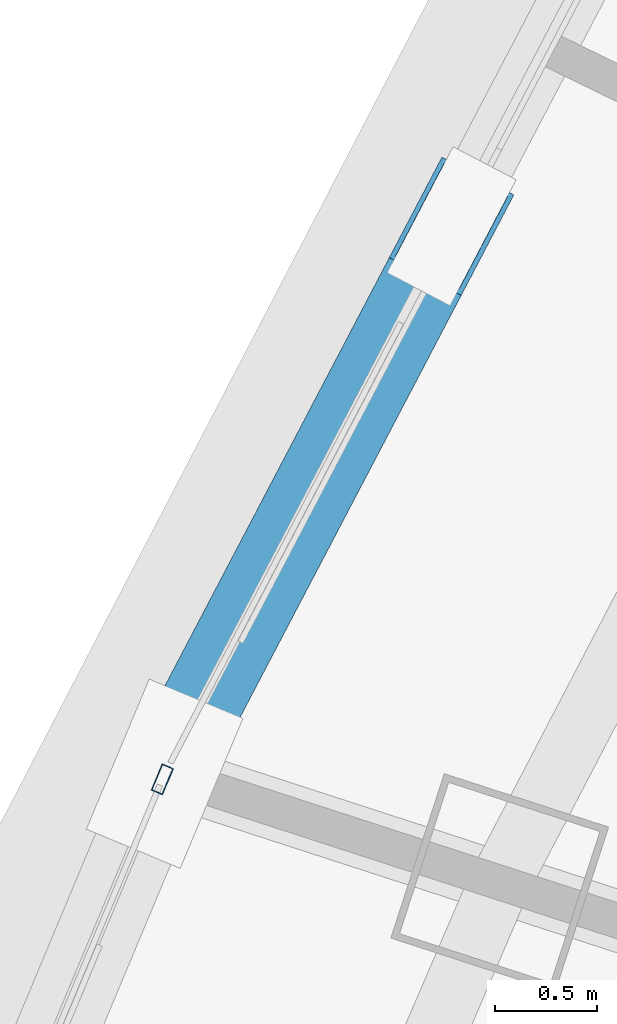
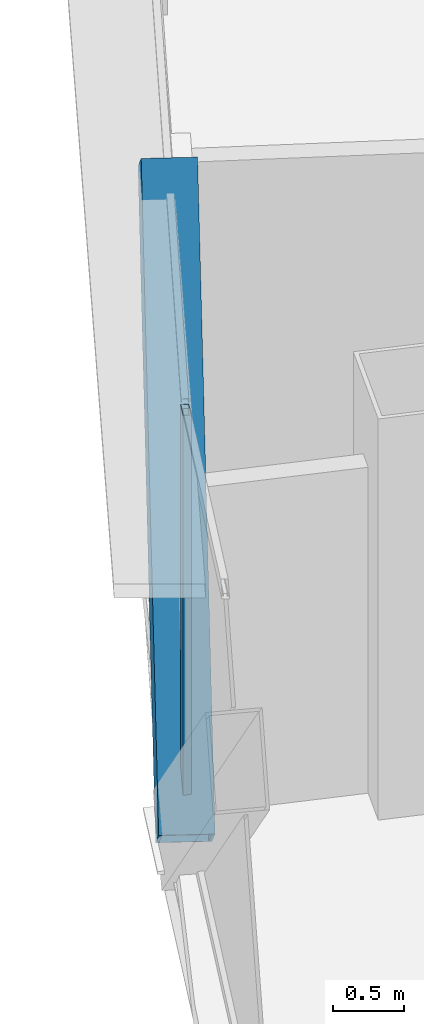
# One storey, part 8 of 37: 2 members, 1 element without a shape of its own.
"""IFC4 building model written with IfcOpenShell, lengths in metres."""

import ifcopenshell
import ifcopenshell.guid

model = None  # the IFC model being written
_history = None  # IfcOwnerHistory: only IFC2X3 demands one
_inside = {}  # id of a spatial element -> (the spatial element, [elements in it])
_under = {}  # id of a project, library or spatial element -> (it, [spatial elements below it])
_declared = {}  # id of a project -> (the project, [libraries it declares])
_typed = {}  # id of a type object -> (the type object, [elements of that type])
_made_of = {}  # id of a material, layer set ... -> (it, [elements and type objects made of it])


def new_model(schema):
    """Start an empty IFC model of exactly this schema.

    Asked for "IFC4X3", IfcOpenShell would pick the latest addendum, in which some entities
    have other attributes; the version numbers below select the first issue.
    IFC2X3 requires an IfcOwnerHistory on every rooted entity: one is made here for all.
    """
    global model, _history
    if schema == "IFC4X3":
        model = ifcopenshell.file(schema_version=(4, 3, 0, 0))
    else:
        model = ifcopenshell.file(schema=schema)
    _inside.clear()
    _under.clear()
    _declared.clear()
    _typed.clear()
    _made_of.clear()
    _history = None
    if model.schema == "IFC2X3":
        org = make("IfcOrganization", Name="unknown")
        user = make(
            "IfcPersonAndOrganization",
            ThePerson=make("IfcPerson", FamilyName="unknown"),
            TheOrganization=org,
        )
        app = make(
            "IfcApplication",
            ApplicationDeveloper=org,
            Version="unknown",
            ApplicationFullName="unknown",
            ApplicationIdentifier="unknown",
        )
        _history = make(
            "IfcOwnerHistory",
            OwningUser=user,
            OwningApplication=app,
            ChangeAction="ADDED",
            CreationDate=0,
        )
    return model


def make(cls, **values):
    """One entity of the class cls with the attributes given. An attribute that is None is left unset."""
    return model.create_entity(
        cls, **{name: value for name, value in values.items() if value is not None}
    )


def rooted(cls, **values):
    """An entity with a GlobalId (a new one), such as an element, a storey or a relation."""
    return make(cls, GlobalId=ifcopenshell.guid.new(), OwnerHistory=_history, **values)


def si_unit(unit_type, name, prefix=None):
    """IfcSIUnit, for example si_unit("LENGTHUNIT", "METRE", prefix="MILLI")."""
    return make("IfcSIUnit", UnitType=unit_type, Prefix=prefix, Name=name)


def assignment(units):
    """IfcUnitAssignment: the units of a project."""
    return None if units is None else make("IfcUnitAssignment", Units=units)


def point(xyz):
    """IfcCartesianPoint."""
    return None if xyz is None else make("IfcCartesianPoint", Coordinates=xyz)


def direction(xyz):
    """IfcDirection."""
    return None if xyz is None else make("IfcDirection", DirectionRatios=xyz)


def frame(location, z_axis=None, x_axis=None):
    """IfcAxis2Placement3D, a coordinate frame: its origin and axes. An axis left out is left unset."""
    return make(
        "IfcAxis2Placement3D",
        Location=point(location),
        Axis=direction(z_axis),
        RefDirection=direction(x_axis),
    )


def frame_2d(location, x_axis=None):
    """IfcAxis2Placement2D, a coordinate frame in the plane: its origin and x axis."""
    return make(
        "IfcAxis2Placement2D", Location=point(location), RefDirection=direction(x_axis)
    )


def origin():
    """The frame at (0, 0, 0) with its axes left unset."""
    return frame((0.0, 0.0, 0.0))


def origin_2d():
    """The frame at (0, 0) in the plane with its x axis left unset."""
    return frame_2d((0.0, 0.0))


def place(relative_to, where):
    """IfcLocalPlacement: puts the frame where relative to a parent placement (None: the world)."""
    return make(
        "IfcLocalPlacement", PlacementRelTo=relative_to, RelativePlacement=where
    )


def context(
    kind, dimensions, precision=None, world=None, true_north=None, identifier=None
):
    """IfcGeometricRepresentationContext, for example the 3D "Model" context."""
    return make(
        "IfcGeometricRepresentationContext",
        ContextIdentifier=identifier,
        ContextType=kind,
        CoordinateSpaceDimension=dimensions,
        Precision=precision,
        WorldCoordinateSystem=world,
        TrueNorth=true_north,
    )


def subcontext(parent, identifier, kind, view, scale=None):
    """IfcGeometricRepresentationSubContext, for example "Body" below "Model"."""
    return make(
        "IfcGeometricRepresentationSubContext",
        ContextIdentifier=identifier,
        ContextType=kind,
        ParentContext=parent,
        TargetScale=scale,
        TargetView=view,
    )


def project(units=None, contexts=None):
    """IfcProject with its units and contexts."""
    return rooted(
        "IfcProject",
        Name="project",
        RepresentationContexts=contexts,
        UnitsInContext=assignment(units),
    )


def spatial(cls, under=None, at=None, **own):
    """A site, building, storey or space (cls), placed at a placement, below another one or the project."""
    s = rooted(cls, ObjectPlacement=at, **own)
    if under is not None:
        _under.setdefault(under.id(), (under, []))[1].append(s)
    return s


def profile(cls, at=None, kind="AREA", **sizes):
    """A parametric profile (cls). Its sizes go by their IFC names, for example OverallWidth=200.0."""
    return make(cls, ProfileType=kind, Position=at, **sizes)


def hollow_rectangle(**sizes):
    """IfcRectangleHollowProfileDef."""
    return profile("IfcRectangleHollowProfileDef", **sizes)


def extrude(swept, where, along, depth):
    """IfcExtrudedAreaSolid: the profile swept, set in the frame where, extruded along a direction by depth."""
    return make(
        "IfcExtrudedAreaSolid",
        SweptArea=swept,
        Position=where,
        ExtrudedDirection=direction(along),
        Depth=depth,
    )


def shape(context_of_items, identifier, shape_type, items):
    """IfcShapeRepresentation: the items that make up one representation, for example the "Body"."""
    return make(
        "IfcShapeRepresentation",
        ContextOfItems=context_of_items,
        RepresentationIdentifier=identifier,
        RepresentationType=shape_type,
        Items=items,
    )


def source(mapping_origin, context_of_items, identifier, shape_type, items):
    """IfcRepresentationMap: a shape defined once, which mapped items show again and again."""
    return make(
        "IfcRepresentationMap",
        MappingOrigin=mapping_origin,
        MappedRepresentation=shape(context_of_items, identifier, shape_type, items),
    )


def transform(
    local_origin,
    x_axis=None,
    y_axis=None,
    z_axis=None,
    scale=None,
    scale2=None,
    scale3=None,
    uniform=True,
):
    """IfcCartesianTransformationOperator3D, or its non-uniform kind. x_axis, y_axis, z_axis: its Axis1, 2, 3."""
    if uniform:
        return make(
            "IfcCartesianTransformationOperator3D",
            Axis1=direction(x_axis),
            Axis2=direction(y_axis),
            LocalOrigin=point(local_origin),
            Scale=scale,
            Axis3=direction(z_axis),
        )
    return make(
        "IfcCartesianTransformationOperator3DnonUniform",
        Axis1=direction(x_axis),
        Axis2=direction(y_axis),
        LocalOrigin=point(local_origin),
        Scale=scale,
        Axis3=direction(z_axis),
        Scale2=scale2,
        Scale3=scale3,
    )


def mapped(mapping_source, mapping_target):
    """IfcMappedItem: shows the shape of a source again, moved by a transform."""
    return make(
        "IfcMappedItem", MappingSource=mapping_source, MappingTarget=mapping_target
    )


def material(Name=None, Category=None):
    """IfcMaterial."""
    return make("IfcMaterial", Name=Name, Category=Category)


def layer(
    of_material, thickness, ventilated=None, Name=None, Category=None, Priority=None
):
    """IfcMaterialLayer: one layer of a wall or slab, of a material (None: an air gap)."""
    return make(
        "IfcMaterialLayer",
        Material=of_material,
        LayerThickness=thickness,
        IsVentilated=ventilated,
        Name=Name,
        Category=Category,
        Priority=Priority,
    )


def layer_set(layers, Name=None):
    """IfcMaterialLayerSet."""
    return make("IfcMaterialLayerSet", MaterialLayers=layers, LayerSetName=Name)


def material_profile(
    of_material, cross_section, Name=None, Category=None, Priority=None
):
    """IfcMaterialProfile: a cross section and its material."""
    return make(
        "IfcMaterialProfile",
        Name=Name,
        Material=of_material,
        Profile=cross_section,
        Priority=Priority,
        Category=Category,
    )


def profile_set(profiles, Name=None, composite=None):
    """IfcMaterialProfileSet."""
    return make(
        "IfcMaterialProfileSet",
        Name=Name,
        MaterialProfiles=profiles,
        CompositeProfile=composite,
    )


def made_of(thing, what):
    """Note that an element or type object is made of a material, layer set ...; save() writes the relation."""
    if what is not None:
        _made_of.setdefault(what.id(), (what, []))[1].append(thing)
    return thing


def type_object(cls, material=None, **own):
    """A type object (cls), such as IfcWallType, which elements share."""
    return made_of(rooted(cls, **own), material)


def element(
    cls,
    number,
    at=None,
    inside=None,
    cuts=None,
    type_object=None,
    material=None,
    context=None,
    identifier="Body",
    shape_type=None,
    held_by="IfcProductDefinitionShape",
    body=None,
    shapes=None,
    **own,
):
    """One element of the class cls, such as IfcWall. Its Tag is "e" and its number.

    at: its placement. inside: the storey or other place that contains it. cuts: it is an
    opening in that element (IfcRelVoidsElement). A single representation is given by context,
    identifier, shape_type and body (its items); several are given by shapes. held_by: the class
    of the entity that holds the representations. save() writes the other relations.
    """
    e = rooted(cls, Tag="e%d" % number, ObjectPlacement=at, **own)
    if body is not None:
        shapes = [shape(context, identifier, shape_type, body)]
    if shapes is not None:
        e.Representation = make(held_by, Representations=shapes)
    if inside is not None:
        _inside.setdefault(inside.id(), (inside, []))[1].append(e)
    if cuts is not None:
        rooted(
            "IfcRelVoidsElement", RelatingBuildingElement=cuts, RelatedOpeningElement=e
        )
    if type_object is not None:
        _typed.setdefault(type_object.id(), (type_object, []))[1].append(e)
    return made_of(e, material)


def aggregate(whole, parts):
    """IfcRelAggregates: a whole, such as a stair, and the parts it consists of."""
    return rooted("IfcRelAggregates", RelatingObject=whole, RelatedObjects=parts)


def save(model, path):
    """Write the relations noted so far, then the file.

    IfcRelAggregates (storeys below a building ...), IfcRelContainedInSpatialStructure (elements
    in a storey), IfcRelDefinesByType, IfcRelAssociatesMaterial and IfcRelDeclares: one each for
    every whole, place, type object, material and project.
    """
    for whole, parts in _under.values():
        aggregate(whole, parts)
    for where, things in _inside.values():
        rooted(
            "IfcRelContainedInSpatialStructure",
            RelatedElements=things,
            RelatingStructure=where,
        )
    for kind, things in _typed.values():
        rooted("IfcRelDefinesByType", RelatedObjects=things, RelatingType=kind)
    for what, things in _made_of.values():
        rooted("IfcRelAssociatesMaterial", RelatedObjects=things, RelatingMaterial=what)
    for by, libraries in _declared.values():
        rooted("IfcRelDeclares", RelatingContext=by, RelatedDefinitions=libraries)
    model.write(path)


model = new_model("IFC4")

# Units and contexts
model_context = context("Model", 3, precision=1e-05, world=origin(), true_north=direction((0.0, 1.0)))
body_context = subcontext(model_context, "Body", "Model", "MODEL_VIEW")
ifc_project = project(units=[si_unit("LENGTHUNIT", "METRE"), si_unit("AREAUNIT", "SQUARE_METRE"), si_unit("VOLUMEUNIT", "CUBIC_METRE"), si_unit("PLANEANGLEUNIT", "RADIAN"), si_unit("MASSUNIT", "GRAM", prefix="KILO"), si_unit("THERMODYNAMICTEMPERATUREUNIT", "KELVIN"), si_unit("POWERUNIT", "WATT")], contexts=[model_context])

# Site, building, storey
site_placement = place(None, origin())
site = spatial("IfcSite", under=ifc_project, at=site_placement, CompositionType="ELEMENT")
building_placement = place(site_placement, origin())
building = spatial("IfcBuilding", under=site, at=building_placement, Name="Yunzhuo Pagoda Commons", CompositionType="ELEMENT")
storey_placement = place(building_placement, frame((0.0, 0.0, 255.719970703125)))
storey = spatial("IfcBuildingStorey", under=building, at=storey_placement, Name="L64", CompositionType="ELEMENT", Elevation=255.719970703125)

# Member
ifc_material_1 = material(Name="Structural steel Q355B", Category="steel")
ifc_material_profile_1 = material_profile(ifc_material_1, hollow_rectangle(XDim=0.39990234375, YDim=0.719970703125, WallThickness=0.02392578125, at=origin_2d()), Name="Structural steel Q355B")
ifc_profile_set_1 = profile_set([ifc_material_profile_1], Name="Structural steel Q355B")
member_type_1 = type_object("IfcMemberType", Name="M-DL2 Brace BOX 720x400x24", PredefinedType="BRACE", material=ifc_profile_set_1)
shared_shape_1 = source(origin(), body_context, "Body", "SweptSolid", [
    extrude(hollow_rectangle(XDim=0.39990234375, YDim=0.719970703125, WallThickness=0.02392578125, at=origin_2d()), origin(), (0.0, 0.0, 1.0), 4.81201171875),
])
member_1_placement = place(storey_placement, frame((20.453857421875, 42.650390625, -0.260009765625), z_axis=(0.293259544764, 0.559577771488, 0.775159052751), x_axis=(-0.885735630591, 0.464190039425, 0.0)))
element("IfcMember", 1, at=member_1_placement, inside=storey, type_object=member_type_1, Name="L64 facade diamond brace F3.2R", PredefinedType="BRACE", context=body_context, shape_type="MappedRepresentation", body=[
    mapped(shared_shape_1, transform((0.0, 0.0, 0.0), scale=1.0)),
])

# Curtain wall, member
ifc_material_2 = material(Name="Anodized aluminium 6063-T6", Category="aluminium")
ifc_layer = layer(ifc_material_2, 0.139892578125)
ifc_layer_set = layer_set([ifc_layer], Name="Anodized aluminium 6063-T6")
curtain_wall_type = type_object("IfcCurtainWallType", Name="CW-HI High-Zone Ribbon Curtain Wall", PredefinedType="NOTDEFINED", material=ifc_layer_set)
curtain_wall_placement = place(storey_placement, origin())
curtain_wall = element("IfcCurtainWall", 2, at=curtain_wall_placement, inside=storey, type_object=curtain_wall_type, Name="L64 curtain wall CW-L64-F3B4", PredefinedType="NOTDEFINED")
ifc_material_profile_2 = material_profile(ifc_material_2, hollow_rectangle(XDim=0.06005859375, YDim=0.139892578125, WallThickness=0.00341796875, at=origin_2d()), Name="Anodized aluminium 6063-T6")
ifc_profile_set_2 = profile_set([ifc_material_profile_2], Name="Anodized aluminium 6063-T6")
member_type_2 = type_object("IfcMemberType", Name="CW-HI-M Mullion RHS 140x60x3.5", PredefinedType="MULLION", material=ifc_profile_set_2)
shared_shape_2 = source(origin(), body_context, "Body", "SweptSolid", [
    extrude(hollow_rectangle(XDim=0.06005859375, YDim=0.139892578125, WallThickness=0.00341796875, at=origin_2d()), origin(), (0.0, 0.0, 1.0), 3.469970703125),
])
member_2_placement = place(storey_placement, frame((20.4423828125, 42.62255859375, 0.0), z_axis=(0.0, 0.0, 1.0), x_axis=(0.922450521644, -0.38611531324, 0.0)))
member_2 = element("IfcMember", 3, at=member_2_placement, type_object=member_type_2, Name="CW mullion 1", PredefinedType="MULLION", context=body_context, shape_type="MappedRepresentation", body=[
    mapped(shared_shape_2, transform((0.0, 0.0, 0.0), scale=1.0)),
])
aggregate(curtain_wall, [member_2])

save(model, "model.ifc")
